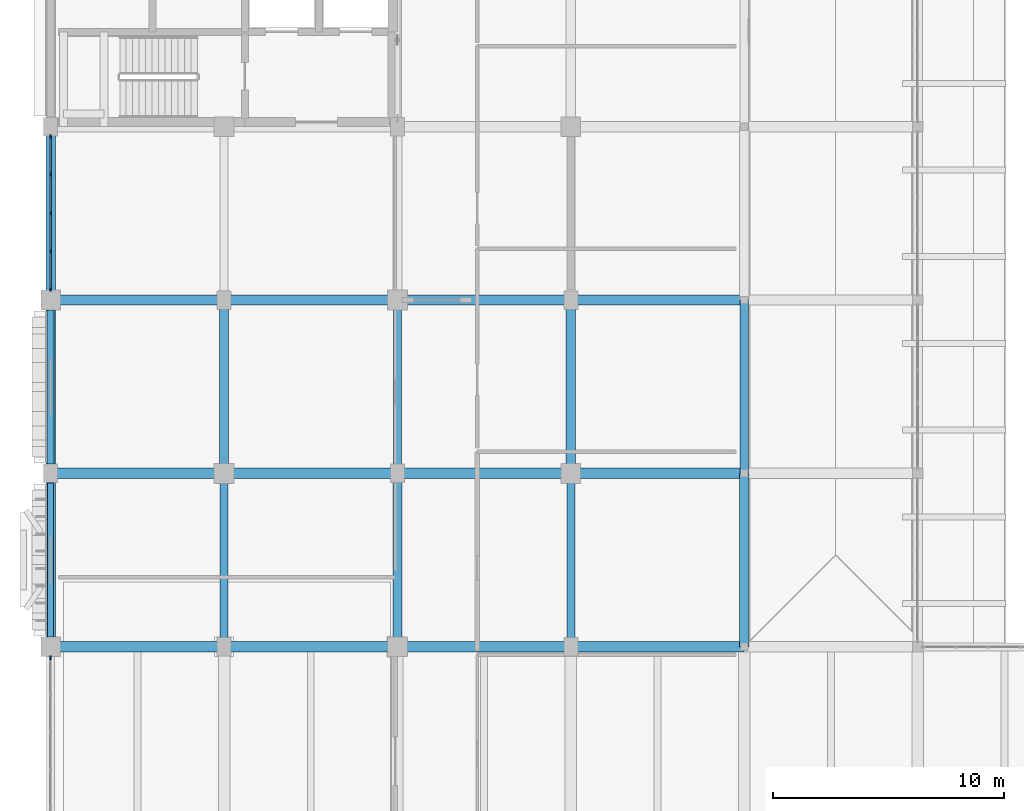
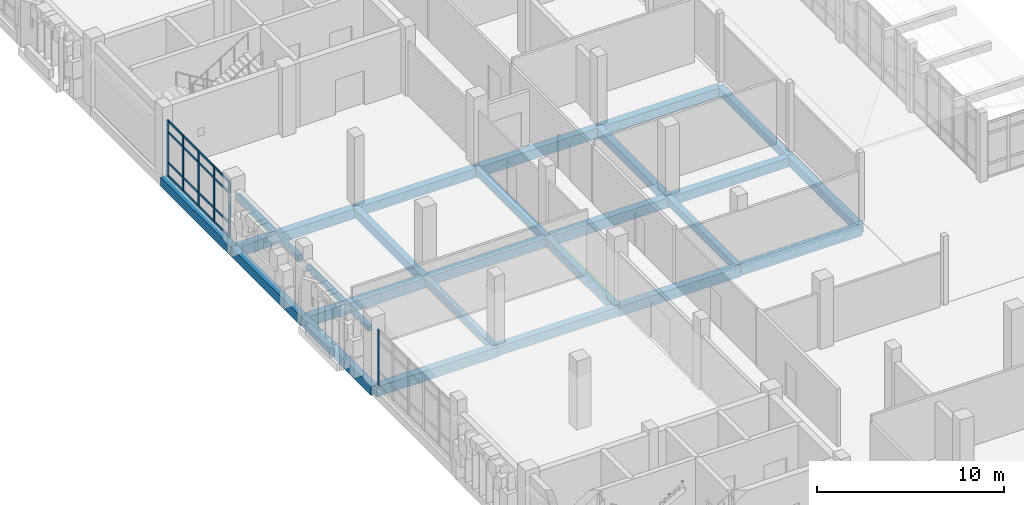
# One storey, part 19 of 128: 25 beams, 22 members, 2 elements without a shape of their own.
"""IFC4 building model written with IfcOpenShell, lengths in metres."""

from ifc_helpers import new_model, si_unit, direction, frame, origin, origin_2d, place, context, subcontext, project, spatial, rectangle, extrude, material, layer, layer_set, material_profile, profile_set, type_object, element, aggregate, save


model = new_model("IFC4")

# Units and contexts
model_context = context("Model", 3, precision=1e-05, world=origin(), true_north=direction((0.0, 1.0)))
body_context = subcontext(model_context, "Body", "Model", "MODEL_VIEW")
ifc_project = project(units=[si_unit("LENGTHUNIT", "METRE"), si_unit("AREAUNIT", "SQUARE_METRE"), si_unit("VOLUMEUNIT", "CUBIC_METRE"), si_unit("PLANEANGLEUNIT", "RADIAN"), si_unit("MASSUNIT", "GRAM", prefix="KILO")], contexts=[model_context])

# Site, building, storey
site_placement = place(None, origin())
site = spatial("IfcSite", under=ifc_project, at=site_placement, CompositionType="ELEMENT")
building_placement = place(site_placement, origin())
building = spatial("IfcBuilding", under=site, at=building_placement, Name="Dalvernix Boulevard General Hospital", CompositionType="ELEMENT")
storey_placement = place(building_placement, frame((0.0, 0.0, 4.800048828125)))
storey = spatial("IfcBuildingStorey", under=building, at=storey_placement, Name="L01", CompositionType="ELEMENT", Elevation=4.800048828125)

# Beams
ifc_material_1 = material(Name="Concrete C35/45", Category="concrete")
ifc_material_profile_1 = material_profile(ifc_material_1, rectangle(XDim=0.449951171875, YDim=0.64990234375, at=origin_2d()), Name="RCB 450x650")
ifc_profile_set_1 = profile_set([ifc_material_profile_1], Name="Concrete C35/45")
beam_type_1 = type_object("IfcBeamType", Name="BM-B-03-I", PredefinedType="BEAM", material=ifc_profile_set_1)
for number, where, z_axis, x_axis, name in (
    (1, (0.0, 31.5, -0.625), (1.0, 0.0, 0.0), (0.0, 1.0, 0.0), "L01 E-W girder E:1-2"),
    (2, (15.0, 31.5, -0.625), (1.0, 0.0, 0.0), (0.0, 1.0, 0.0), "L01 E-W girder E:3-4"),
    (3, (0.0, 39.0, -0.625), (1.0, 0.0, 0.0), (0.0, 1.0, 0.0), "L01 E-W girder F:1-2"),
    (4, (15.0, 39.0, -0.625), (1.0, 0.0, 0.0), (0.0, 1.0, 0.0), "L01 E-W girder F:3-4"),
    (5, (0.0, 46.5, -0.625), (1.0, 0.0, 0.0), (0.0, 1.0, 0.0), "L01 E-W girder G:1-2"),
    (6, (15.0, 46.5, -0.625), (1.0, 0.0, 0.0), (0.0, 1.0, 0.0), "L01 E-W girder G:3-4"),
):
    element("IfcBeam", number, at=place(storey_placement, frame(where, z_axis=z_axis, x_axis=x_axis)), inside=storey, type_object=beam_type_1, Name=name, PredefinedType="BEAM", context=body_context, shape_type="SweptSolid", body=[
        extrude(rectangle(XDim=0.449951171875, YDim=0.64990234375, at=origin_2d()), origin(), (0.0, 0.0, 1.0), 7.5),
    ])
ifc_material_profile_2 = material_profile(ifc_material_1, rectangle(XDim=0.449951171875, YDim=0.60009765625, at=origin_2d()), Name="RCB 450x600")
ifc_profile_set_2 = profile_set([ifc_material_profile_2], Name="Concrete C35/45")
beam_type_2 = type_object("IfcBeamType", Name="BM-B-04-I", PredefinedType="BEAM", material=ifc_profile_set_2)
for number, where, z_axis, x_axis, name in (
    (7, (7.5, 31.5, -0.60009765625), (1.0, 0.0, 0.0), (0.0, 1.0, 0.0), "L01 E-W girder E:2-3"),
    (8, (22.5, 31.5, -0.60009765625), (1.0, 0.0, 0.0), (0.0, 1.0, 0.0), "L01 E-W girder E:4-5"),
    (9, (7.5, 39.0, -0.60009765625), (1.0, 0.0, 0.0), (0.0, 1.0, 0.0), "L01 E-W girder F:2-3"),
    (10, (22.5, 39.0, -0.60009765625), (1.0, 0.0, 0.0), (0.0, 1.0, 0.0), "L01 E-W girder F:4-5"),
    (11, (7.5, 46.5, -0.60009765625), (1.0, 0.0, 0.0), (0.0, 1.0, 0.0), "L01 E-W girder G:2-3"),
    (12, (22.5, 46.5, -0.60009765625), (1.0, 0.0, 0.0), (0.0, 1.0, 0.0), "L01 E-W girder G:4-5"),
):
    element("IfcBeam", number, at=place(storey_placement, frame(where, z_axis=z_axis, x_axis=x_axis)), inside=storey, type_object=beam_type_2, Name=name, PredefinedType="BEAM", context=body_context, shape_type="SweptSolid", body=[
        extrude(rectangle(XDim=0.449951171875, YDim=0.60009765625, at=origin_2d()), origin(), (0.0, 0.0, 1.0), 7.5),
    ])
ifc_material_profile_3 = material_profile(ifc_material_1, rectangle(XDim=0.39990234375, YDim=0.550048828125, at=origin_2d()), Name="RCB 400x550")
ifc_profile_set_3 = profile_set([ifc_material_profile_3], Name="Concrete C35/45")
beam_type_3 = type_object("IfcBeamType", Name="BM-B-06-I", PredefinedType="BEAM", material=ifc_profile_set_3)
for number, where, z_axis, x_axis, name in (
    (13, (7.5, 39.0, -0.574951171875), (0.0, 1.0, 0.0), (-1.0, 0.0, 0.0), "L01 N-S girder 2:F-G"),
    (14, (15.0, 31.5, -0.574951171875), (0.0, 1.0, 0.0), (-1.0, 0.0, 0.0), "L01 N-S girder 3:E-F"),
    (15, (22.5, 39.0, -0.574951171875), (0.0, 1.0, 0.0), (-1.0, 0.0, 0.0), "L01 N-S girder 4:F-G"),
    (16, (30.0, 31.5, -0.574951171875), (0.0, 1.0, 0.0), (-1.0, 0.0, 0.0), "L01 N-S girder 5:E-F"),
):
    element("IfcBeam", number, at=place(storey_placement, frame(where, z_axis=z_axis, x_axis=x_axis)), inside=storey, type_object=beam_type_3, Name=name, PredefinedType="BEAM", context=body_context, shape_type="SweptSolid", body=[
        extrude(rectangle(XDim=0.39990234375, YDim=0.550048828125, at=origin_2d()), origin(), (0.0, 0.0, 1.0), 7.5),
    ])
ifc_material_profile_4 = material_profile(ifc_material_1, rectangle(XDim=0.35009765625, YDim=0.5, at=origin_2d()), Name="RCB 350x500")
ifc_profile_set_4 = profile_set([ifc_material_profile_4], Name="Concrete C35/45")
beam_type_4 = type_object("IfcBeamType", Name="BM-B-08-I", PredefinedType="BEAM", material=ifc_profile_set_4)
for number, where, z_axis, x_axis, name in (
    (17, (7.5, 31.5, -0.550048828125), (0.0, 1.0, 0.0), (-1.0, 0.0, 0.0), "L01 N-S girder 2:E-F"),
    (18, (15.0, 39.0, -0.550048828125), (0.0, 1.0, 0.0), (-1.0, 0.0, 0.0), "L01 N-S girder 3:F-G"),
    (19, (22.5, 31.5, -0.550048828125), (0.0, 1.0, 0.0), (-1.0, 0.0, 0.0), "L01 N-S girder 4:E-F"),
    (20, (30.0, 39.0, -0.550048828125), (0.0, 1.0, 0.0), (-1.0, 0.0, 0.0), "L01 N-S girder 5:F-G"),
):
    element("IfcBeam", number, at=place(storey_placement, frame(where, z_axis=z_axis, x_axis=x_axis)), inside=storey, type_object=beam_type_4, Name=name, PredefinedType="BEAM", context=body_context, shape_type="SweptSolid", body=[
        extrude(rectangle(XDim=0.35009765625, YDim=0.5, at=origin_2d()), origin(), (0.0, 0.0, 1.0), 7.5),
    ])
ifc_material_2 = material(Name="Precast concrete C40/50", Category="concrete")
ifc_material_profile_5 = material_profile(ifc_material_2, rectangle(XDim=0.25, YDim=0.320068359375, at=origin_2d()), Name="RCL 250x320")
ifc_profile_set_5 = profile_set([ifc_material_profile_5], Name="Precast concrete C40/50")
beam_type_5 = type_object("IfcBeamType", Name="BM-LB-01", PredefinedType="LINTEL", material=ifc_profile_set_5)
beam_1_placement = place(storey_placement, frame((0.0, 31.93505859375, 3.159912109375), z_axis=(0.0, 1.0, 0.0), x_axis=(-1.0, 0.0, 0.0)))
element("IfcBeam", 21, at=beam_1_placement, inside=storey, type_object=beam_type_5, Name="L01 precast window lintel W 0-4", PredefinedType="LINTEL", context=body_context, shape_type="SweptSolid", body=[
    extrude(rectangle(XDim=0.25, YDim=0.320068359375, at=origin_2d()), origin(), (0.0, 0.0, 1.0), 6.655029296875),
])
ifc_material_profile_6 = material_profile(ifc_material_2, rectangle(XDim=0.300048828125, YDim=0.3798828125, at=origin_2d()), Name="RCL 300x380")
ifc_profile_set_6 = profile_set([ifc_material_profile_6], Name="Precast concrete C40/50")
beam_type_6 = type_object("IfcBeamType", Name="BM-LB-02", PredefinedType="LINTEL", material=ifc_profile_set_6)
beam_2_placement = place(storey_placement, frame((0.0, 39.409912109375, 3.18994140625), z_axis=(0.0, 1.0, 0.0), x_axis=(-1.0, 0.0, 0.0)))
element("IfcBeam", 22, at=beam_2_placement, inside=storey, type_object=beam_type_6, Name="L01 precast window lintel W 0-5", PredefinedType="LINTEL", context=body_context, shape_type="SweptSolid", body=[
    extrude(rectangle(XDim=0.300048828125, YDim=0.3798828125, at=origin_2d()), origin(), (0.0, 0.0, 1.0), 6.655029296875),
])
ifc_material_profile_7 = material_profile(ifc_material_1, rectangle(XDim=0.39990234375, YDim=0.60009765625, at=origin_2d()), Name="RCB 400x600")
ifc_profile_set_7 = profile_set([ifc_material_profile_7], Name="Concrete C35/45")
beam_type_7 = type_object("IfcBeamType", Name="BM-SB-02-E", PredefinedType="SPANDREL", material=ifc_profile_set_7)
for number, where, z_axis, x_axis, name in (
    (23, (0.0, 31.5, -0.60009765625), (0.0, 1.0, 0.0), (-1.0, 0.0, 0.0), "L01 N-S girder 1:E-F"),
    (24, (0.0, 39.0, -0.60009765625), (0.0, 1.0, 0.0), (-1.0, 0.0, 0.0), "L01 N-S girder 1:F-G"),
    (25, (0.0, 46.5, -0.60009765625), (0.0, 1.0, 0.0), (-1.0, 0.0, 0.0), "L01 N-S girder 1:G-H"),
):
    element("IfcBeam", number, at=place(storey_placement, frame(where, z_axis=z_axis, x_axis=x_axis)), inside=storey, type_object=beam_type_7, Name=name, PredefinedType="SPANDREL", context=body_context, shape_type="SweptSolid", body=[
        extrude(rectangle(XDim=0.39990234375, YDim=0.60009765625, at=origin_2d()), origin(), (0.0, 0.0, 1.0), 7.5),
    ])

# Curtain wall, member
ifc_material_3 = material(Name="Thermally broken aluminium and solar-control glass curtain wall", Category="aluminium")
ifc_layer_1 = layer(ifc_material_3, 0.179931640625)
ifc_layer_set_1 = layer_set([ifc_layer_1], Name="Thermally broken aluminium and solar-control glass curtain wall (CW-CW-B-82x36)")
curtain_wall_type_1 = type_object("IfcCurtainWallType", Name="CW-CW-B-82x36", PredefinedType="USERDEFINED", material=ifc_layer_set_1)
curtain_wall_1_placement = place(storey_placement, origin())
curtain_wall_1 = element("IfcCurtainWall", 26, at=curtain_wall_1_placement, inside=storey, type_object=curtain_wall_type_1, Name="L01 curtain wall CW-B-82x36 0-3", ObjectType="GLAZED FACADE", PredefinedType="USERDEFINED")
ifc_material_4 = material(Name="Aluminium EN AW-6060", Category="aluminium")
ifc_material_profile_8 = material_profile(ifc_material_4, rectangle(XDim=0.06494140625, YDim=0.179931640625, at=origin_2d()), Name="ALU MULL 65x180")
ifc_profile_set_8 = profile_set([ifc_material_profile_8], Name="Aluminium EN AW-6060")
member_type_1 = type_object("IfcMemberType", Name="MEM-CW-M2", PredefinedType="MULLION", material=ifc_profile_set_8)
member_1_placement = place(storey_placement, frame((0.0, 31.032470703125, 0.0), z_axis=(0.0, 0.0, 1.0), x_axis=(-1.0, 0.0, 0.0)))
member_1 = element("IfcMember", 27, at=member_1_placement, type_object=member_type_1, Name="CW-B-82x36 mullion 6", PredefinedType="MULLION", context=body_context, shape_type="SweptSolid", body=[
    extrude(rectangle(XDim=0.06494140625, YDim=0.179931640625, at=origin_2d()), origin(), (0.0, 0.0, 1.0), 3.6298828125),
])
aggregate(curtain_wall_1, [member_1])

# Curtain wall, members
ifc_layer_2 = layer(ifc_material_3, 0.179931640625)
ifc_layer_set_2 = layer_set([ifc_layer_2], Name="Thermally broken aluminium and solar-control glass curtain wall (CW-CW-B-67x36)")
curtain_wall_type_2 = type_object("IfcCurtainWallType", Name="CW-CW-B-67x36", PredefinedType="USERDEFINED", material=ifc_layer_set_2)
curtain_wall_2_placement = place(storey_placement, origin())
curtain_wall_2 = element("IfcCurtainWall", 28, at=curtain_wall_2_placement, inside=storey, type_object=curtain_wall_type_2, Name="L01 curtain wall CW-B-67x36 0-6", ObjectType="GLAZED FACADE", PredefinedType="USERDEFINED")
member_2_placement = place(storey_placement, frame((0.0, 46.967529296875, 0.0), z_axis=(0.0, 0.0, 1.0), x_axis=(-1.0, 0.0, 0.0)))
member_2 = element("IfcMember", 29, at=member_2_placement, type_object=member_type_1, Name="CW-B-67x36 mullion 1", PredefinedType="MULLION", context=body_context, shape_type="SweptSolid", body=[
    extrude(rectangle(XDim=0.06494140625, YDim=0.179931640625, at=origin_2d()), origin(), (0.0, 0.0, 1.0), 3.6298828125),
])
member_3_placement = place(storey_placement, frame((0.0, 48.5986328125, 0.0), z_axis=(0.0, 0.0, 1.0), x_axis=(-1.0, 0.0, 0.0)))
member_3 = element("IfcMember", 30, at=member_3_placement, type_object=member_type_1, Name="CW-B-67x36 mullion 2", PredefinedType="MULLION", context=body_context, shape_type="SweptSolid", body=[
    extrude(rectangle(XDim=0.06494140625, YDim=0.179931640625, at=origin_2d()), origin(), (0.0, 0.0, 1.0), 3.6298828125),
])
member_4_placement = place(storey_placement, frame((0.0, 50.262451171875, 0.0), z_axis=(0.0, 0.0, 1.0), x_axis=(-1.0, 0.0, 0.0)))
member_4 = element("IfcMember", 31, at=member_4_placement, type_object=member_type_1, Name="CW-B-67x36 mullion 3", PredefinedType="MULLION", context=body_context, shape_type="SweptSolid", body=[
    extrude(rectangle(XDim=0.06494140625, YDim=0.179931640625, at=origin_2d()), origin(), (0.0, 0.0, 1.0), 3.6298828125),
])
member_5_placement = place(storey_placement, frame((0.0, 51.92626953125, 0.0), z_axis=(0.0, 0.0, 1.0), x_axis=(-1.0, 0.0, 0.0)))
member_5 = element("IfcMember", 32, at=member_5_placement, type_object=member_type_1, Name="CW-B-67x36 mullion 4", PredefinedType="MULLION", context=body_context, shape_type="SweptSolid", body=[
    extrude(rectangle(XDim=0.06494140625, YDim=0.179931640625, at=origin_2d()), origin(), (0.0, 0.0, 1.0), 3.6298828125),
])
member_6_placement = place(storey_placement, frame((0.0, 53.5576171875, 0.0), z_axis=(0.0, 0.0, 1.0), x_axis=(-1.0, 0.0, 0.0)))
member_6 = element("IfcMember", 33, at=member_6_placement, type_object=member_type_1, Name="CW-B-67x36 mullion 5", PredefinedType="MULLION", context=body_context, shape_type="SweptSolid", body=[
    extrude(rectangle(XDim=0.06494140625, YDim=0.179931640625, at=origin_2d()), origin(), (0.0, 0.0, 1.0), 3.6298828125),
])
ifc_material_profile_9 = material_profile(ifc_material_4, rectangle(XDim=0.06494140625, YDim=0.139892578125, at=origin_2d()), Name="ALU TRAN 65x140")
ifc_profile_set_9 = profile_set([ifc_material_profile_9], Name="Aluminium EN AW-6060")
member_type_2 = type_object("IfcMemberType", Name="MEM-CW-T2", PredefinedType="USERDEFINED", material=ifc_profile_set_9)
member_7_placement = place(storey_placement, frame((0.0, 47.0, 0.032470703125), z_axis=(0.0, 1.0, 0.0), x_axis=(-1.0, 0.0, 0.0)))
member_7 = element("IfcMember", 34, at=member_7_placement, type_object=member_type_2, Name="CW-B-67x36 transom 1.1", ObjectType="TRANSOM", PredefinedType="USERDEFINED", context=body_context, shape_type="SweptSolid", body=[
    extrude(rectangle(XDim=0.06494140625, YDim=0.139892578125, at=origin_2d()), origin(), (0.0, 0.0, 1.0), 1.566162109375),
])
member_8_placement = place(storey_placement, frame((0.0, 47.0, 0.89990234375), z_axis=(0.0, 1.0, 0.0), x_axis=(-1.0, 0.0, 0.0)))
member_8 = element("IfcMember", 35, at=member_8_placement, type_object=member_type_2, Name="CW-B-67x36 transom 1.2", ObjectType="TRANSOM", PredefinedType="USERDEFINED", context=body_context, shape_type="SweptSolid", body=[
    extrude(rectangle(XDim=0.06494140625, YDim=0.139892578125, at=origin_2d()), origin(), (0.0, 0.0, 1.0), 1.566162109375),
])
member_9_placement = place(storey_placement, frame((0.0, 47.0, 2.8798828125), z_axis=(0.0, 1.0, 0.0), x_axis=(-1.0, 0.0, 0.0)))
member_9 = element("IfcMember", 36, at=member_9_placement, type_object=member_type_2, Name="CW-B-67x36 transom 1.3", ObjectType="TRANSOM", PredefinedType="USERDEFINED", context=body_context, shape_type="SweptSolid", body=[
    extrude(rectangle(XDim=0.06494140625, YDim=0.139892578125, at=origin_2d()), origin(), (0.0, 0.0, 1.0), 1.566162109375),
])
member_10_placement = place(storey_placement, frame((0.0, 47.0, 3.597412109375), z_axis=(0.0, 1.0, 0.0), x_axis=(-1.0, 0.0, 0.0)))
member_10 = element("IfcMember", 37, at=member_10_placement, type_object=member_type_2, Name="CW-B-67x36 transom 1.4", ObjectType="TRANSOM", PredefinedType="USERDEFINED", context=body_context, shape_type="SweptSolid", body=[
    extrude(rectangle(XDim=0.06494140625, YDim=0.139892578125, at=origin_2d()), origin(), (0.0, 0.0, 1.0), 1.566162109375),
])
member_11_placement = place(storey_placement, frame((0.0, 48.63134765625, 0.032470703125), z_axis=(0.0, 1.0, 0.0), x_axis=(-1.0, 0.0, 0.0)))
member_11 = element("IfcMember", 38, at=member_11_placement, type_object=member_type_2, Name="CW-B-67x36 transom 2.1", ObjectType="TRANSOM", PredefinedType="USERDEFINED", context=body_context, shape_type="SweptSolid", body=[
    extrude(rectangle(XDim=0.06494140625, YDim=0.139892578125, at=origin_2d()), origin(), (0.0, 0.0, 1.0), 1.5986328125),
])
member_12_placement = place(storey_placement, frame((0.0, 48.63134765625, 0.89990234375), z_axis=(0.0, 1.0, 0.0), x_axis=(-1.0, 0.0, 0.0)))
member_12 = element("IfcMember", 39, at=member_12_placement, type_object=member_type_2, Name="CW-B-67x36 transom 2.2", ObjectType="TRANSOM", PredefinedType="USERDEFINED", context=body_context, shape_type="SweptSolid", body=[
    extrude(rectangle(XDim=0.06494140625, YDim=0.139892578125, at=origin_2d()), origin(), (0.0, 0.0, 1.0), 1.5986328125),
])
member_13_placement = place(storey_placement, frame((0.0, 48.63134765625, 2.8798828125), z_axis=(0.0, 1.0, 0.0), x_axis=(-1.0, 0.0, 0.0)))
member_13 = element("IfcMember", 40, at=member_13_placement, type_object=member_type_2, Name="CW-B-67x36 transom 2.3", ObjectType="TRANSOM", PredefinedType="USERDEFINED", context=body_context, shape_type="SweptSolid", body=[
    extrude(rectangle(XDim=0.06494140625, YDim=0.139892578125, at=origin_2d()), origin(), (0.0, 0.0, 1.0), 1.5986328125),
])
member_14_placement = place(storey_placement, frame((0.0, 48.63134765625, 3.597412109375), z_axis=(0.0, 1.0, 0.0), x_axis=(-1.0, 0.0, 0.0)))
member_14 = element("IfcMember", 41, at=member_14_placement, type_object=member_type_2, Name="CW-B-67x36 transom 2.4", ObjectType="TRANSOM", PredefinedType="USERDEFINED", context=body_context, shape_type="SweptSolid", body=[
    extrude(rectangle(XDim=0.06494140625, YDim=0.139892578125, at=origin_2d()), origin(), (0.0, 0.0, 1.0), 1.5986328125),
])
member_15_placement = place(storey_placement, frame((0.0, 50.294921875, 0.032470703125), z_axis=(0.0, 1.0, 0.0), x_axis=(-1.0, 0.0, 0.0)))
member_15 = element("IfcMember", 42, at=member_15_placement, type_object=member_type_2, Name="CW-B-67x36 transom 3.1", ObjectType="TRANSOM", PredefinedType="USERDEFINED", context=body_context, shape_type="SweptSolid", body=[
    extrude(rectangle(XDim=0.06494140625, YDim=0.139892578125, at=origin_2d()), origin(), (0.0, 0.0, 1.0), 1.598876953125),
])
member_16_placement = place(storey_placement, frame((0.0, 50.294921875, 0.89990234375), z_axis=(0.0, 1.0, 0.0), x_axis=(-1.0, 0.0, 0.0)))
member_16 = element("IfcMember", 43, at=member_16_placement, type_object=member_type_2, Name="CW-B-67x36 transom 3.2", ObjectType="TRANSOM", PredefinedType="USERDEFINED", context=body_context, shape_type="SweptSolid", body=[
    extrude(rectangle(XDim=0.06494140625, YDim=0.139892578125, at=origin_2d()), origin(), (0.0, 0.0, 1.0), 1.598876953125),
])
member_17_placement = place(storey_placement, frame((0.0, 50.294921875, 2.8798828125), z_axis=(0.0, 1.0, 0.0), x_axis=(-1.0, 0.0, 0.0)))
member_17 = element("IfcMember", 44, at=member_17_placement, type_object=member_type_2, Name="CW-B-67x36 transom 3.3", ObjectType="TRANSOM", PredefinedType="USERDEFINED", context=body_context, shape_type="SweptSolid", body=[
    extrude(rectangle(XDim=0.06494140625, YDim=0.139892578125, at=origin_2d()), origin(), (0.0, 0.0, 1.0), 1.598876953125),
])
member_18_placement = place(storey_placement, frame((0.0, 50.294921875, 3.597412109375), z_axis=(0.0, 1.0, 0.0), x_axis=(-1.0, 0.0, 0.0)))
member_18 = element("IfcMember", 45, at=member_18_placement, type_object=member_type_2, Name="CW-B-67x36 transom 3.4", ObjectType="TRANSOM", PredefinedType="USERDEFINED", context=body_context, shape_type="SweptSolid", body=[
    extrude(rectangle(XDim=0.06494140625, YDim=0.139892578125, at=origin_2d()), origin(), (0.0, 0.0, 1.0), 1.598876953125),
])
member_19_placement = place(storey_placement, frame((0.0, 51.958740234375, 0.032470703125), z_axis=(0.0, 1.0, 0.0), x_axis=(-1.0, 0.0, 0.0)))
member_19 = element("IfcMember", 46, at=member_19_placement, type_object=member_type_2, Name="CW-B-67x36 transom 4.1", ObjectType="TRANSOM", PredefinedType="USERDEFINED", context=body_context, shape_type="SweptSolid", body=[
    extrude(rectangle(XDim=0.06494140625, YDim=0.139892578125, at=origin_2d()), origin(), (0.0, 0.0, 1.0), 1.566162109375),
])
member_20_placement = place(storey_placement, frame((0.0, 51.958740234375, 0.89990234375), z_axis=(0.0, 1.0, 0.0), x_axis=(-1.0, 0.0, 0.0)))
member_20 = element("IfcMember", 47, at=member_20_placement, type_object=member_type_2, Name="CW-B-67x36 transom 4.2", ObjectType="TRANSOM", PredefinedType="USERDEFINED", context=body_context, shape_type="SweptSolid", body=[
    extrude(rectangle(XDim=0.06494140625, YDim=0.139892578125, at=origin_2d()), origin(), (0.0, 0.0, 1.0), 1.566162109375),
])
member_21_placement = place(storey_placement, frame((0.0, 51.958740234375, 2.8798828125), z_axis=(0.0, 1.0, 0.0), x_axis=(-1.0, 0.0, 0.0)))
member_21 = element("IfcMember", 48, at=member_21_placement, type_object=member_type_2, Name="CW-B-67x36 transom 4.3", ObjectType="TRANSOM", PredefinedType="USERDEFINED", context=body_context, shape_type="SweptSolid", body=[
    extrude(rectangle(XDim=0.06494140625, YDim=0.139892578125, at=origin_2d()), origin(), (0.0, 0.0, 1.0), 1.566162109375),
])
member_22_placement = place(storey_placement, frame((0.0, 51.958740234375, 3.597412109375), z_axis=(0.0, 1.0, 0.0), x_axis=(-1.0, 0.0, 0.0)))
member_22 = element("IfcMember", 49, at=member_22_placement, type_object=member_type_2, Name="CW-B-67x36 transom 4.4", ObjectType="TRANSOM", PredefinedType="USERDEFINED", context=body_context, shape_type="SweptSolid", body=[
    extrude(rectangle(XDim=0.06494140625, YDim=0.139892578125, at=origin_2d()), origin(), (0.0, 0.0, 1.0), 1.566162109375),
])
aggregate(curtain_wall_2, [member_2, member_3, member_4, member_5, member_6, member_7, member_8, member_9, member_10, member_11, member_12, member_13, member_14, member_15, member_16, member_17, member_18, member_19, member_20, member_21, member_22])

save(model, "model.ifc")
